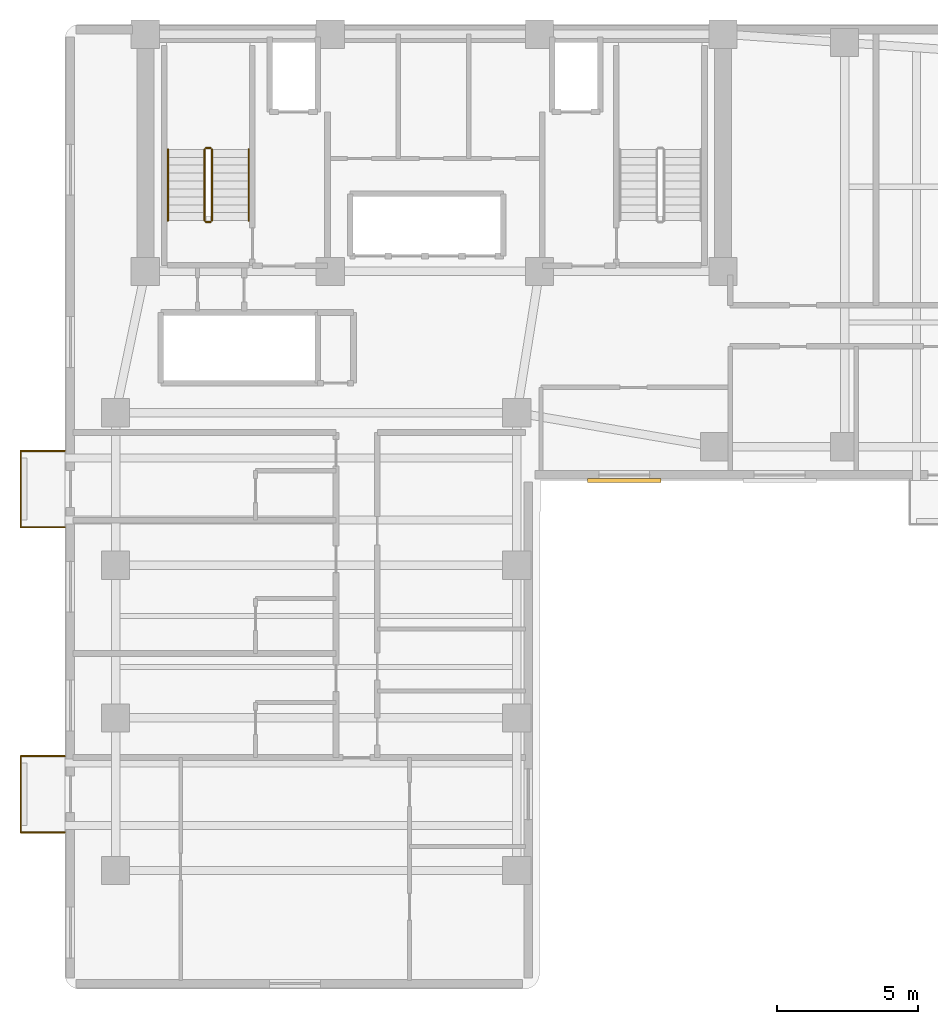
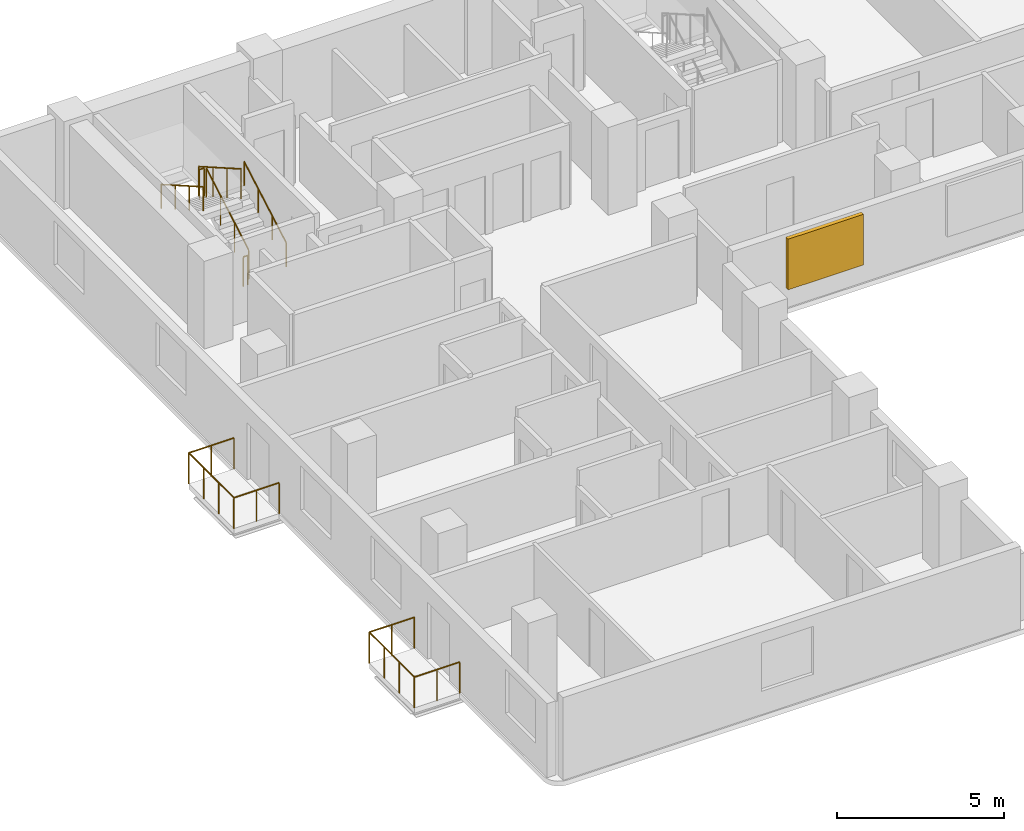
# One storey, part 6 of 7: 12 railings, 1 shading device.
"""IFC4 building model written with IfcOpenShell, lengths in metres."""

from ifc_helpers import new_model, si_unit, direction, frame, origin, origin_2d, place, context, subcontext, project, spatial, rectangle, circle, extrude, material, layer, layer_set, type_object, element, save


model = new_model("IFC4")

# Units and contexts
model_context = context("Model", 3, precision=1e-05, world=origin(), true_north=direction((0.0, 1.0)))
body_context = subcontext(model_context, "Body", "Model", "MODEL_VIEW")
ifc_project = project(units=[si_unit("LENGTHUNIT", "METRE"), si_unit("AREAUNIT", "SQUARE_METRE"), si_unit("VOLUMEUNIT", "CUBIC_METRE"), si_unit("PLANEANGLEUNIT", "RADIAN"), si_unit("MASSUNIT", "GRAM", prefix="KILO")], contexts=[model_context])

# Site, building, storey
site_placement = place(None, origin())
site = spatial("IfcSite", under=ifc_project, at=site_placement, CompositionType="ELEMENT")
building_placement = place(site_placement, origin())
building = spatial("IfcBuilding", under=site, at=building_placement, Name="Kuzgunbayir Cultural Tower", CompositionType="ELEMENT")
storey_placement = place(building_placement, frame((0.0, 0.0, 123.39990234375)))
storey = spatial("IfcBuildingStorey", under=building, at=storey_placement, Name="L35", CompositionType="ELEMENT", Elevation=123.39990234375)

# Railings
ifc_material_1 = material(Name="Laminated Glass and Stainless Steel", Category="steel")
ifc_layer_1 = layer(ifc_material_1, 0.080078125)
ifc_layer_set_1 = layer_set([ifc_layer_1], Name="Laminated Glass and Stainless Steel")
railing_type_1 = type_object("IfcRailingType", Name="RLG-BAL-115", PredefinedType="BALUSTRADE", material=ifc_layer_set_1)
railing_1_placement = place(storey_placement, frame((3.60009765625, 13.949951171875, 0.0)))
element("IfcRailing", 1, at=railing_1_placement, inside=storey, type_object=railing_type_1, Name="L35 Balcony Guard BAL-L35-WA1 Segment 1", PredefinedType="BALUSTRADE", context=body_context, shape_type="SweptSolid", body=[
    extrude(circle(Radius=0.02392578125, at=origin_2d()), frame((0.0, 0.0, 1.1259765625), z_axis=(-1.0, 0.0, 0.0), x_axis=(0.0, -1.0, 0.0)), (0.0, 0.0, 1.0), 1.56005859375),
    extrude(circle(Radius=0.02099609375, at=origin_2d()), origin(), (0.0, 0.0, 1.0), 1.101806640625),
    extrude(circle(Radius=0.02099609375, at=origin_2d()), frame((-0.780029296875, 0.0, 0.0)), (0.0, 0.0, 1.0), 1.101806640625),
    extrude(circle(Radius=0.02099609375, at=origin_2d()), frame((-1.56005859375, 0.0, 0.0)), (0.0, 0.0, 1.0), 1.101806640625),
])
railing_2_placement = place(storey_placement, frame((2.0400390625, 13.949951171875, 0.0)))
element("IfcRailing", 2, at=railing_2_placement, inside=storey, type_object=railing_type_1, Name="L35 Balcony Guard BAL-L35-WA1 Segment 2", PredefinedType="BALUSTRADE", context=body_context, shape_type="SweptSolid", body=[
    extrude(circle(Radius=0.02392578125, at=origin_2d()), frame((0.0, 0.0, 1.1259765625), z_axis=(0.0, 1.0, 0.0), x_axis=(-1.0, 0.0, 0.0)), (0.0, 0.0, 1.0), 2.699951171875),
    extrude(circle(Radius=0.02099609375, at=origin_2d()), origin(), (0.0, 0.0, 1.0), 1.101806640625),
    extrude(circle(Radius=0.02099609375, at=origin_2d()), frame((0.0, 0.89990234375, 0.0)), (0.0, 0.0, 1.0), 1.101806640625),
    extrude(circle(Radius=0.02099609375, at=origin_2d()), frame((0.0, 1.800048828125, 0.0)), (0.0, 0.0, 1.0), 1.101806640625),
    extrude(circle(Radius=0.02099609375, at=origin_2d()), frame((0.0, 2.699951171875, 0.0)), (0.0, 0.0, 1.0), 1.101806640625),
])
railing_3_placement = place(storey_placement, frame((2.0400390625, 16.64990234375, 0.0)))
element("IfcRailing", 3, at=railing_3_placement, inside=storey, type_object=railing_type_1, Name="L35 Balcony Guard BAL-L35-WA1 Segment 3", PredefinedType="BALUSTRADE", context=body_context, shape_type="SweptSolid", body=[
    extrude(circle(Radius=0.02392578125, at=origin_2d()), frame((0.0, 0.0, 1.1259765625), z_axis=(1.0, 0.0, 0.0), x_axis=(0.0, 1.0, 0.0)), (0.0, 0.0, 1.0), 1.56005859375),
    extrude(circle(Radius=0.02099609375, at=origin_2d()), origin(), (0.0, 0.0, 1.0), 1.101806640625),
    extrude(circle(Radius=0.02099609375, at=origin_2d()), frame((0.780029296875, 0.0, 0.0)), (0.0, 0.0, 1.0), 1.101806640625),
    extrude(circle(Radius=0.02099609375, at=origin_2d()), frame((1.56005859375, 0.0, 0.0)), (0.0, 0.0, 1.0), 1.101806640625),
])
railing_4_placement = place(storey_placement, frame((3.60009765625, 24.75, 0.0)))
element("IfcRailing", 4, at=railing_4_placement, inside=storey, type_object=railing_type_1, Name="L35 Balcony Guard BAL-L35-WA3 Segment 1", PredefinedType="BALUSTRADE", context=body_context, shape_type="SweptSolid", body=[
    extrude(circle(Radius=0.02392578125, at=origin_2d()), frame((0.0, 0.0, 1.1259765625), z_axis=(-1.0, 0.0, 0.0), x_axis=(0.0, -1.0, 0.0)), (0.0, 0.0, 1.0), 1.56005859375),
    extrude(circle(Radius=0.02099609375, at=origin_2d()), origin(), (0.0, 0.0, 1.0), 1.101806640625),
    extrude(circle(Radius=0.02099609375, at=origin_2d()), frame((-0.780029296875, 0.0, 0.0)), (0.0, 0.0, 1.0), 1.101806640625),
    extrude(circle(Radius=0.02099609375, at=origin_2d()), frame((-1.56005859375, 0.0, 0.0)), (0.0, 0.0, 1.0), 1.101806640625),
])
railing_5_placement = place(storey_placement, frame((2.0400390625, 24.75, 0.0)))
element("IfcRailing", 5, at=railing_5_placement, inside=storey, type_object=railing_type_1, Name="L35 Balcony Guard BAL-L35-WA3 Segment 2", PredefinedType="BALUSTRADE", context=body_context, shape_type="SweptSolid", body=[
    extrude(circle(Radius=0.02392578125, at=origin_2d()), frame((0.0, 0.0, 1.1259765625), z_axis=(0.0, 1.0, 0.0), x_axis=(-1.0, 0.0, 0.0)), (0.0, 0.0, 1.0), 2.699951171875),
    extrude(circle(Radius=0.02099609375, at=origin_2d()), origin(), (0.0, 0.0, 1.0), 1.101806640625),
    extrude(circle(Radius=0.02099609375, at=origin_2d()), frame((0.0, 0.89990234375, 0.0)), (0.0, 0.0, 1.0), 1.101806640625),
    extrude(circle(Radius=0.02099609375, at=origin_2d()), frame((0.0, 1.800048828125, 0.0)), (0.0, 0.0, 1.0), 1.101806640625),
    extrude(circle(Radius=0.02099609375, at=origin_2d()), frame((0.0, 2.699951171875, 0.0)), (0.0, 0.0, 1.0), 1.101806640625),
])
railing_6_placement = place(storey_placement, frame((2.0400390625, 27.449951171875, 0.0)))
element("IfcRailing", 6, at=railing_6_placement, inside=storey, type_object=railing_type_1, Name="L35 Balcony Guard BAL-L35-WA3 Segment 3", PredefinedType="BALUSTRADE", context=body_context, shape_type="SweptSolid", body=[
    extrude(circle(Radius=0.02392578125, at=origin_2d()), frame((0.0, 0.0, 1.1259765625), z_axis=(1.0, 0.0, 0.0), x_axis=(0.0, 1.0, 0.0)), (0.0, 0.0, 1.0), 1.56005859375),
    extrude(circle(Radius=0.02099609375, at=origin_2d()), origin(), (0.0, 0.0, 1.0), 1.101806640625),
    extrude(circle(Radius=0.02099609375, at=origin_2d()), frame((0.780029296875, 0.0, 0.0)), (0.0, 0.0, 1.0), 1.101806640625),
    extrude(circle(Radius=0.02099609375, at=origin_2d()), frame((1.56005859375, 0.0, 0.0)), (0.0, 0.0, 1.0), 1.101806640625),
])
ifc_material_2 = material(Name="Brushed Stainless Steel", Category="steel")
ifc_layer_2 = layer(ifc_material_2, 0.050048828125)
ifc_layer_set_2 = layer_set([ifc_layer_2], Name="Brushed Stainless Steel")
railing_type_2 = type_object("IfcRailingType", Name="RLG-STAIR-HANDRAIL", PredefinedType="HANDRAIL", material=ifc_layer_set_2)
railing_7_placement = place(storey_placement, frame((10.110107421875, 35.60009765625, 0.16015625)))
element("IfcRailing", 7, at=railing_7_placement, inside=storey, type_object=railing_type_2, Name="L35 ST-1 stair handrail 1", PredefinedType="HANDRAIL", context=body_context, shape_type="SweptSolid", body=[
    extrude(circle(Radius=0.02392578125, at=origin_2d()), frame((0.0, 0.0, 0.8759765625), z_axis=(0.0, 0.868253494771, 0.496120820787), x_axis=(-1.0, 0.0, 0.0)), (0.0, 0.0, 1.0), 2.90234375),
    extrude(circle(Radius=0.02099609375, at=origin_2d()), origin(), (0.0, 0.0, 1.0), 0.851806640625),
    extrude(circle(Radius=0.02099609375, at=origin_2d()), frame((0.0, 0.840087890625, 0.47998046875)), (0.0, 0.0, 1.0), 0.851806640625),
    extrude(circle(Radius=0.02099609375, at=origin_2d()), frame((0.0, 1.679931640625, 0.9599609375)), (0.0, 0.0, 1.0), 0.851806640625),
    extrude(circle(Radius=0.02099609375, at=origin_2d()), frame((0.0, 2.52001953125, 1.43994140625)), (0.0, 0.0, 1.0), 0.851806640625),
])
railing_8_placement = place(storey_placement, frame((7.25, 38.1201171875, 1.760009765625)))
element("IfcRailing", 8, at=railing_8_placement, inside=storey, type_object=railing_type_2, Name="L35 ST-1 stair handrail 2", PredefinedType="HANDRAIL", context=body_context, shape_type="SweptSolid", body=[
    extrude(circle(Radius=0.02392578125, at=origin_2d()), frame((0.0, 0.0, 0.8759765625), z_axis=(0.0, -0.868217259934, 0.496184229447), x_axis=(1.0, 0.0, 0.0)), (0.0, 0.0, 1.0), 2.902587890625),
    extrude(circle(Radius=0.02099609375, at=origin_2d()), origin(), (0.0, 0.0, 1.0), 0.851806640625),
    extrude(circle(Radius=0.02099609375, at=origin_2d()), frame((0.0, -0.840087890625, 0.47998046875)), (0.0, 0.0, 1.0), 0.851806640625),
    extrude(circle(Radius=0.02099609375, at=origin_2d()), frame((0.0, -1.679931640625, 0.960205078125)), (0.0, 0.0, 1.0), 0.851806640625),
    extrude(circle(Radius=0.02099609375, at=origin_2d()), frame((0.0, -2.52001953125, 1.440185546875)), (0.0, 0.0, 1.0), 0.851806640625),
])
ifc_material_3 = material(Name="Painted Steel Balustrade", Category="steel")
ifc_layer_3 = layer(ifc_material_3, 0.06005859375)
ifc_layer_set_3 = layer_set([ifc_layer_3], Name="Painted Steel Balustrade")
railing_type_3 = type_object("IfcRailingType", Name="RLG-WELL-GUARD", PredefinedType="GUARDRAIL", material=ifc_layer_set_3)
railing_9_placement = place(storey_placement, frame((8.81005859375, 35.60009765625, 0.16015625)))
element("IfcRailing", 9, at=railing_9_placement, inside=storey, type_object=railing_type_3, Name="L35 ST-1 stair guard 1", PredefinedType="GUARDRAIL", context=body_context, shape_type="SweptSolid", body=[
    extrude(circle(Radius=0.02392578125, at=origin_2d()), frame((0.0, 0.0, 1.076171875), z_axis=(0.0, 0.868253494771, 0.496120820787), x_axis=(-1.0, 0.0, 0.0)), (0.0, 0.0, 1.0), 2.90234375),
    extrude(circle(Radius=0.02099609375, at=origin_2d()), origin(), (0.0, 0.0, 1.0), 1.052001953125),
    extrude(circle(Radius=0.02099609375, at=origin_2d()), frame((0.0, 0.840087890625, 0.47998046875)), (0.0, 0.0, 1.0), 1.052001953125),
    extrude(circle(Radius=0.02099609375, at=origin_2d()), frame((0.0, 1.679931640625, 0.9599609375)), (0.0, 0.0, 1.0), 1.052001953125),
    extrude(circle(Radius=0.02099609375, at=origin_2d()), frame((0.0, 2.52001953125, 1.43994140625)), (0.0, 0.0, 1.0), 1.052001953125),
])
railing_10_placement = place(storey_placement, frame((8.760009765625, 38.169921875, 1.60009765625)))
element("IfcRailing", 10, at=railing_10_placement, inside=storey, type_object=railing_type_3, Name="L35 ST-1 stair guard 2", PredefinedType="GUARDRAIL", context=body_context, shape_type="SweptSolid", body=[
    extrude(circle(Radius=0.02392578125, at=origin_2d()), frame((0.0, 0.0, 1.076171875), z_axis=(-1.0, 0.0, 0.0), x_axis=(0.0, -1.0, 0.0)), (0.0, 0.0, 1.0), 0.159912109375),
    extrude(circle(Radius=0.02099609375, at=origin_2d()), origin(), (0.0, 0.0, 1.0), 1.052001953125),
    extrude(circle(Radius=0.02099609375, at=origin_2d()), frame((-0.159912109375, 0.0, 0.0)), (0.0, 0.0, 1.0), 1.052001953125),
])
railing_11_placement = place(storey_placement, frame((8.550048828125, 38.1201171875, 1.760009765625)))
element("IfcRailing", 11, at=railing_11_placement, inside=storey, type_object=railing_type_3, Name="L35 ST-1 stair guard 3", PredefinedType="GUARDRAIL", context=body_context, shape_type="SweptSolid", body=[
    extrude(circle(Radius=0.02392578125, at=origin_2d()), frame((0.0, 0.0, 1.076171875), z_axis=(0.0, -0.868217259934, 0.496184229447), x_axis=(1.0, 0.0, 0.0)), (0.0, 0.0, 1.0), 2.902587890625),
    extrude(circle(Radius=0.02099609375, at=origin_2d()), origin(), (0.0, 0.0, 1.0), 1.052001953125),
    extrude(circle(Radius=0.02099609375, at=origin_2d()), frame((0.0, -0.840087890625, 0.47998046875)), (0.0, 0.0, 1.0), 1.052001953125),
    extrude(circle(Radius=0.02099609375, at=origin_2d()), frame((0.0, -1.679931640625, 0.960205078125)), (0.0, 0.0, 1.0), 1.052001953125),
    extrude(circle(Radius=0.02099609375, at=origin_2d()), frame((0.0, -2.52001953125, 1.440185546875)), (0.0, 0.0, 1.0), 1.052001953125),
])
railing_12_placement = place(storey_placement, frame((8.760009765625, 35.550048828125, 0.0)))
element("IfcRailing", 12, at=railing_12_placement, inside=storey, type_object=railing_type_3, Name="L35 ST-1 stair guard 4", PredefinedType="GUARDRAIL", context=body_context, shape_type="SweptSolid", body=[
    extrude(circle(Radius=0.02392578125, at=origin_2d()), frame((0.0, 0.0, 1.076171875), z_axis=(-1.0, 0.0, 0.0), x_axis=(0.0, -1.0, 0.0)), (0.0, 0.0, 1.0), 0.159912109375),
    extrude(circle(Radius=0.02099609375, at=origin_2d()), origin(), (0.0, 0.0, 1.0), 1.052001953125),
    extrude(circle(Radius=0.02099609375, at=origin_2d()), frame((-0.159912109375, 0.0, 0.0)), (0.0, 0.0, 1.0), 1.052001953125),
])

# Shading device
ifc_material_4 = material(Name="Perforated Bronze-Anodised Aluminium", Category="aluminium")
shading_device_type = type_object("IfcShadingDeviceType", Name="SHD-SOLAR-BRONZE", PredefinedType="JALOUSIE", material=ifc_material_4)
shading_device_placement = place(storey_placement, frame((23.39990234375, 26.39990234375, 0.735107421875), z_axis=(0.0, 0.0, 1.0), x_axis=(1.0, 0.0, 0.0)))
element("IfcShadingDevice", 13, at=shading_device_placement, inside=storey, type_object=shading_device_type, Name="L35 Solar Screen WBS11", PredefinedType="JALOUSIE", context=body_context, shape_type="SweptSolid", body=[
    extrude(rectangle(XDim=2.60009765625, YDim=0.139892578125, at=origin_2d()), origin(), (0.0, 0.0, 1.0), 1.85009765625),
])

save(model, "model.ifc")
